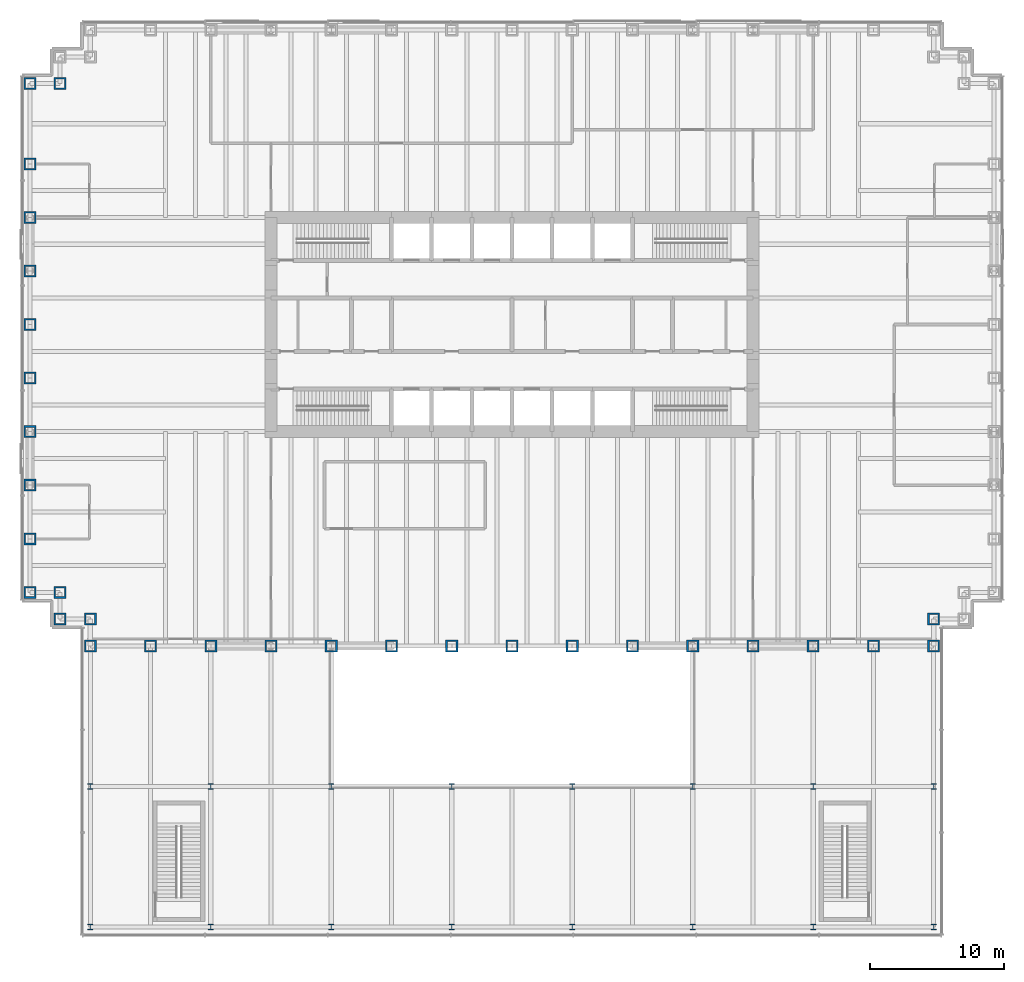
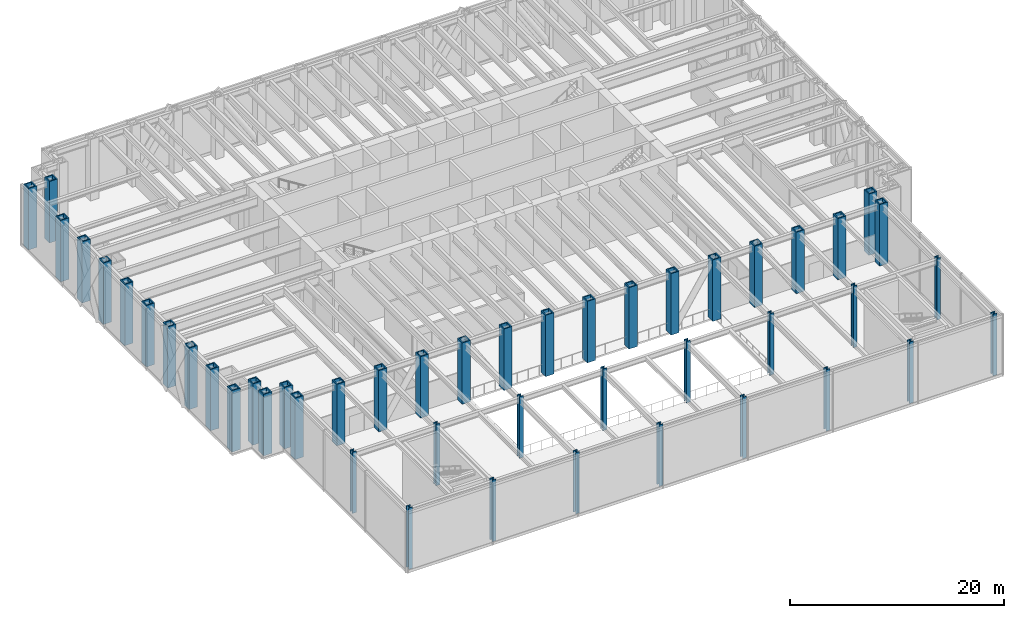
# One storey, part 1 of 17: 46 columns.
"""IFC4 building model written with IfcOpenShell, lengths in metres."""

import ifcopenshell
import ifcopenshell.guid

model = None  # the IFC model being written
_history = None  # IfcOwnerHistory: only IFC2X3 demands one
_inside = {}  # id of a spatial element -> (the spatial element, [elements in it])
_under = {}  # id of a project, library or spatial element -> (it, [spatial elements below it])
_declared = {}  # id of a project -> (the project, [libraries it declares])
_typed = {}  # id of a type object -> (the type object, [elements of that type])
_made_of = {}  # id of a material, layer set ... -> (it, [elements and type objects made of it])


def new_model(schema):
    """Start an empty IFC model of exactly this schema.

    Asked for "IFC4X3", IfcOpenShell would pick the latest addendum, in which some entities
    have other attributes; the version numbers below select the first issue.
    IFC2X3 requires an IfcOwnerHistory on every rooted entity: one is made here for all.
    """
    global model, _history
    if schema == "IFC4X3":
        model = ifcopenshell.file(schema_version=(4, 3, 0, 0))
    else:
        model = ifcopenshell.file(schema=schema)
    _inside.clear()
    _under.clear()
    _declared.clear()
    _typed.clear()
    _made_of.clear()
    _history = None
    if model.schema == "IFC2X3":
        org = make("IfcOrganization", Name="unknown")
        user = make(
            "IfcPersonAndOrganization",
            ThePerson=make("IfcPerson", FamilyName="unknown"),
            TheOrganization=org,
        )
        app = make(
            "IfcApplication",
            ApplicationDeveloper=org,
            Version="unknown",
            ApplicationFullName="unknown",
            ApplicationIdentifier="unknown",
        )
        _history = make(
            "IfcOwnerHistory",
            OwningUser=user,
            OwningApplication=app,
            ChangeAction="ADDED",
            CreationDate=0,
        )
    return model


def make(cls, **values):
    """One entity of the class cls with the attributes given. An attribute that is None is left unset."""
    return model.create_entity(
        cls, **{name: value for name, value in values.items() if value is not None}
    )


def rooted(cls, **values):
    """An entity with a GlobalId (a new one), such as an element, a storey or a relation."""
    return make(cls, GlobalId=ifcopenshell.guid.new(), OwnerHistory=_history, **values)


def si_unit(unit_type, name, prefix=None):
    """IfcSIUnit, for example si_unit("LENGTHUNIT", "METRE", prefix="MILLI")."""
    return make("IfcSIUnit", UnitType=unit_type, Prefix=prefix, Name=name)


def assignment(units):
    """IfcUnitAssignment: the units of a project."""
    return None if units is None else make("IfcUnitAssignment", Units=units)


def point(xyz):
    """IfcCartesianPoint."""
    return None if xyz is None else make("IfcCartesianPoint", Coordinates=xyz)


def direction(xyz):
    """IfcDirection."""
    return None if xyz is None else make("IfcDirection", DirectionRatios=xyz)


def frame(location, z_axis=None, x_axis=None):
    """IfcAxis2Placement3D, a coordinate frame: its origin and axes. An axis left out is left unset."""
    return make(
        "IfcAxis2Placement3D",
        Location=point(location),
        Axis=direction(z_axis),
        RefDirection=direction(x_axis),
    )


def frame_2d(location, x_axis=None):
    """IfcAxis2Placement2D, a coordinate frame in the plane: its origin and x axis."""
    return make(
        "IfcAxis2Placement2D", Location=point(location), RefDirection=direction(x_axis)
    )


def origin():
    """The frame at (0, 0, 0) with its axes left unset."""
    return frame((0.0, 0.0, 0.0))


def origin_2d():
    """The frame at (0, 0) in the plane with its x axis left unset."""
    return frame_2d((0.0, 0.0))


def place(relative_to, where):
    """IfcLocalPlacement: puts the frame where relative to a parent placement (None: the world)."""
    return make(
        "IfcLocalPlacement", PlacementRelTo=relative_to, RelativePlacement=where
    )


def context(
    kind, dimensions, precision=None, world=None, true_north=None, identifier=None
):
    """IfcGeometricRepresentationContext, for example the 3D "Model" context."""
    return make(
        "IfcGeometricRepresentationContext",
        ContextIdentifier=identifier,
        ContextType=kind,
        CoordinateSpaceDimension=dimensions,
        Precision=precision,
        WorldCoordinateSystem=world,
        TrueNorth=true_north,
    )


def subcontext(parent, identifier, kind, view, scale=None):
    """IfcGeometricRepresentationSubContext, for example "Body" below "Model"."""
    return make(
        "IfcGeometricRepresentationSubContext",
        ContextIdentifier=identifier,
        ContextType=kind,
        ParentContext=parent,
        TargetScale=scale,
        TargetView=view,
    )


def project(units=None, contexts=None):
    """IfcProject with its units and contexts."""
    return rooted(
        "IfcProject",
        Name="project",
        RepresentationContexts=contexts,
        UnitsInContext=assignment(units),
    )


def spatial(cls, under=None, at=None, **own):
    """A site, building, storey or space (cls), placed at a placement, below another one or the project."""
    s = rooted(cls, ObjectPlacement=at, **own)
    if under is not None:
        _under.setdefault(under.id(), (under, []))[1].append(s)
    return s


def profile(cls, at=None, kind="AREA", **sizes):
    """A parametric profile (cls). Its sizes go by their IFC names, for example OverallWidth=200.0."""
    return make(cls, ProfileType=kind, Position=at, **sizes)


def hollow_rectangle(**sizes):
    """IfcRectangleHollowProfileDef."""
    return profile("IfcRectangleHollowProfileDef", **sizes)


def i_section(**sizes):
    """IfcIShapeProfileDef."""
    return profile("IfcIShapeProfileDef", **sizes)


def extrude(swept, where, along, depth):
    """IfcExtrudedAreaSolid: the profile swept, set in the frame where, extruded along a direction by depth."""
    return make(
        "IfcExtrudedAreaSolid",
        SweptArea=swept,
        Position=where,
        ExtrudedDirection=direction(along),
        Depth=depth,
    )


def shape(context_of_items, identifier, shape_type, items):
    """IfcShapeRepresentation: the items that make up one representation, for example the "Body"."""
    return make(
        "IfcShapeRepresentation",
        ContextOfItems=context_of_items,
        RepresentationIdentifier=identifier,
        RepresentationType=shape_type,
        Items=items,
    )


def material(Name=None, Category=None):
    """IfcMaterial."""
    return make("IfcMaterial", Name=Name, Category=Category)


def material_profile(
    of_material, cross_section, Name=None, Category=None, Priority=None
):
    """IfcMaterialProfile: a cross section and its material."""
    return make(
        "IfcMaterialProfile",
        Name=Name,
        Material=of_material,
        Profile=cross_section,
        Priority=Priority,
        Category=Category,
    )


def profile_set(profiles, Name=None, composite=None):
    """IfcMaterialProfileSet."""
    return make(
        "IfcMaterialProfileSet",
        Name=Name,
        MaterialProfiles=profiles,
        CompositeProfile=composite,
    )


def made_of(thing, what):
    """Note that an element or type object is made of a material, layer set ...; save() writes the relation."""
    if what is not None:
        _made_of.setdefault(what.id(), (what, []))[1].append(thing)
    return thing


def type_object(cls, material=None, **own):
    """A type object (cls), such as IfcWallType, which elements share."""
    return made_of(rooted(cls, **own), material)


def element(
    cls,
    number,
    at=None,
    inside=None,
    cuts=None,
    type_object=None,
    material=None,
    context=None,
    identifier="Body",
    shape_type=None,
    held_by="IfcProductDefinitionShape",
    body=None,
    shapes=None,
    **own,
):
    """One element of the class cls, such as IfcWall. Its Tag is "e" and its number.

    at: its placement. inside: the storey or other place that contains it. cuts: it is an
    opening in that element (IfcRelVoidsElement). A single representation is given by context,
    identifier, shape_type and body (its items); several are given by shapes. held_by: the class
    of the entity that holds the representations. save() writes the other relations.
    """
    e = rooted(cls, Tag="e%d" % number, ObjectPlacement=at, **own)
    if body is not None:
        shapes = [shape(context, identifier, shape_type, body)]
    if shapes is not None:
        e.Representation = make(held_by, Representations=shapes)
    if inside is not None:
        _inside.setdefault(inside.id(), (inside, []))[1].append(e)
    if cuts is not None:
        rooted(
            "IfcRelVoidsElement", RelatingBuildingElement=cuts, RelatedOpeningElement=e
        )
    if type_object is not None:
        _typed.setdefault(type_object.id(), (type_object, []))[1].append(e)
    return made_of(e, material)


def aggregate(whole, parts):
    """IfcRelAggregates: a whole, such as a stair, and the parts it consists of."""
    return rooted("IfcRelAggregates", RelatingObject=whole, RelatedObjects=parts)


def save(model, path):
    """Write the relations noted so far, then the file.

    IfcRelAggregates (storeys below a building ...), IfcRelContainedInSpatialStructure (elements
    in a storey), IfcRelDefinesByType, IfcRelAssociatesMaterial and IfcRelDeclares: one each for
    every whole, place, type object, material and project.
    """
    for whole, parts in _under.values():
        aggregate(whole, parts)
    for where, things in _inside.values():
        rooted(
            "IfcRelContainedInSpatialStructure",
            RelatedElements=things,
            RelatingStructure=where,
        )
    for kind, things in _typed.values():
        rooted("IfcRelDefinesByType", RelatedObjects=things, RelatingType=kind)
    for what, things in _made_of.values():
        rooted("IfcRelAssociatesMaterial", RelatedObjects=things, RelatingMaterial=what)
    for by, libraries in _declared.values():
        rooted("IfcRelDeclares", RelatingContext=by, RelatedDefinitions=libraries)
    model.write(path)


model = new_model("IFC4")

# Units and contexts
model_context = context("Model", 3, precision=1e-05, world=origin(), true_north=direction((0.0, 1.0)))
body_context = subcontext(model_context, "Body", "Model", "MODEL_VIEW")
ifc_project = project(units=[si_unit("LENGTHUNIT", "METRE"), si_unit("AREAUNIT", "SQUARE_METRE"), si_unit("VOLUMEUNIT", "CUBIC_METRE"), si_unit("PLANEANGLEUNIT", "RADIAN"), si_unit("MASSUNIT", "GRAM", prefix="KILO")], contexts=[model_context])

# Site, building, storey
site_placement = place(None, origin())
site = spatial("IfcSite", under=ifc_project, at=site_placement, CompositionType="ELEMENT")
building_placement = place(site_placement, origin())
building = spatial("IfcBuilding", under=site, at=building_placement, Name="Rheinbord Bourse Tower", CompositionType="ELEMENT")
storey_placement = place(building_placement, frame((0.0, 0.0, 6.0)))
storey = spatial("IfcBuildingStorey", under=building, at=storey_placement, Name="L01", CompositionType="ELEMENT", Elevation=6.0)

# Columns
ifc_material_1 = material(Name="Steel S460", Category="steel")
ifc_material_profile_1 = material_profile(ifc_material_1, i_section(OverallWidth=0.41796875, OverallDepth=0.455078125, WebThickness=0.0419921875, FlangeThickness=0.067626953125, at=origin_2d()), Name="HD 400x551")
ifc_profile_set_1 = profile_set([ifc_material_profile_1], Name="Steel S460")
column_type_1 = type_object("IfcColumnType", Name="PODIUM COLUMN HD 400x551", PredefinedType="COLUMN", material=ifc_profile_set_1)
for number, where, z_axis, x_axis, name in (
    (1, (4.5, -21.0, 0.0), (0.0, 0.0, 1.0), (1.0, 0.0, 0.0), "Podium column 4.5 / -21 L01"),
    (2, (4.5, -10.5, 0.0), (0.0, 0.0, 1.0), (1.0, 0.0, 0.0), "Podium column 4.5 / -10.5 L01"),
    (3, (13.5, -21.0, 0.0), (0.0, 0.0, 1.0), (1.0, 0.0, 0.0), "Podium column 13.5 / -21 L01"),
    (4, (13.5, -10.5, 0.0), (0.0, 0.0, 1.0), (1.0, 0.0, 0.0), "Podium column 13.5 / -10.5 L01"),
    (5, (22.5, -21.0, 0.0), (0.0, 0.0, 1.0), (1.0, 0.0, 0.0), "Podium column 22.5 / -21 L01"),
    (6, (22.5, -10.5, 0.0), (0.0, 0.0, 1.0), (1.0, 0.0, 0.0), "Podium column 22.5 / -10.5 L01"),
    (7, (31.5, -21.0, 0.0), (0.0, 0.0, 1.0), (1.0, 0.0, 0.0), "Podium column 31.5 / -21 L01"),
    (8, (31.5, -10.5, 0.0), (0.0, 0.0, 1.0), (1.0, 0.0, 0.0), "Podium column 31.5 / -10.5 L01"),
    (9, (40.5, -21.0, 0.0), (0.0, 0.0, 1.0), (1.0, 0.0, 0.0), "Podium column 40.5 / -21 L01"),
    (10, (40.5, -10.5, 0.0), (0.0, 0.0, 1.0), (1.0, 0.0, 0.0), "Podium column 40.5 / -10.5 L01"),
    (11, (49.5, -21.0, 0.0), (0.0, 0.0, 1.0), (1.0, 0.0, 0.0), "Podium column 49.5 / -21 L01"),
    (12, (49.5, -10.5, 0.0), (0.0, 0.0, 1.0), (1.0, 0.0, 0.0), "Podium column 49.5 / -10.5 L01"),
    (13, (58.5, -21.0, 0.0), (0.0, 0.0, 1.0), (1.0, 0.0, 0.0), "Podium column 58.5 / -21 L01"),
    (14, (58.5, -10.5, 0.0), (0.0, 0.0, 1.0), (1.0, 0.0, 0.0), "Podium column 58.5 / -10.5 L01"),
    (15, (67.5, -21.0, 0.0), (0.0, 0.0, 1.0), (1.0, 0.0, 0.0), "Podium column 67.5 / -21 L01"),
    (16, (67.5, -10.5, 0.0), (0.0, 0.0, 1.0), (1.0, 0.0, 0.0), "Podium column 67.5 / -10.5 L01"),
):
    element("IfcColumn", number, at=place(storey_placement, frame(where, z_axis=z_axis, x_axis=x_axis)), inside=storey, type_object=column_type_1, Name=name, PredefinedType="COLUMN", context=body_context, shape_type="SweptSolid", body=[
        extrude(i_section(OverallWidth=0.41796875, OverallDepth=0.455078125, WebThickness=0.0419921875, FlangeThickness=0.067626953125, at=origin_2d()), origin(), (0.0, 0.0, 1.0), 7.0),
    ])
ifc_material_2 = material(Name="Steel S460M", Category="steel")
ifc_material_profile_2 = material_profile(ifc_material_2, hollow_rectangle(XDim=0.89990234375, YDim=0.89990234375, WallThickness=0.1201171875, at=origin_2d()), Name="BOX 900x900x120")
ifc_profile_set_2 = profile_set([ifc_material_profile_2], Name="Steel S460M")
column_type_2 = type_object("IfcColumnType", Name="TUBE COLUMN BOX 900x900x120", PredefinedType="COLUMN", material=ifc_profile_set_2)
for number, where, z_axis, x_axis, name in (
    (17, (4.5, 0.0, 0.0), (0.0, 0.0, 1.0), (0.0, 1.0, 0.0), "Column SW-E L01"),
    (18, (9.0, 0.0, 0.0), (0.0, 0.0, 1.0), (0.0, 1.0, 0.0), "Column S-9 L01"),
    (19, (13.5, 0.0, 0.0), (0.0, 0.0, 1.0), (0.0, 1.0, 0.0), "Column S-13.5 L01"),
    (20, (18.0, 0.0, 0.0), (0.0, 0.0, 1.0), (0.0, 1.0, 0.0), "Column S-18 L01"),
    (21, (22.5, 0.0, 0.0), (0.0, 0.0, 1.0), (0.0, 1.0, 0.0), "Column S-22.5 L01"),
    (22, (27.0, 0.0, 0.0), (0.0, 0.0, 1.0), (0.0, 1.0, 0.0), "Column S-27 L01"),
    (23, (31.5, 0.0, 0.0), (0.0, 0.0, 1.0), (0.0, 1.0, 0.0), "Column S-31.5 L01"),
    (24, (36.0, 0.0, 0.0), (0.0, 0.0, 1.0), (0.0, 1.0, 0.0), "Column S-36 L01"),
    (25, (40.5, 0.0, 0.0), (0.0, 0.0, 1.0), (0.0, 1.0, 0.0), "Column S-40.5 L01"),
    (26, (45.0, 0.0, 0.0), (0.0, 0.0, 1.0), (0.0, 1.0, 0.0), "Column S-45 L01"),
    (27, (49.5, 0.0, 0.0), (0.0, 0.0, 1.0), (0.0, 1.0, 0.0), "Column S-49.5 L01"),
    (28, (54.0, 0.0, 0.0), (0.0, 0.0, 1.0), (0.0, 1.0, 0.0), "Column S-54 L01"),
    (29, (58.5, 0.0, 0.0), (0.0, 0.0, 1.0), (0.0, 1.0, 0.0), "Column S-58.5 L01"),
    (30, (63.0, 0.0, 0.0), (0.0, 0.0, 1.0), (0.0, 1.0, 0.0), "Column S-63 L01"),
    (31, (67.5, 0.0, 0.0), (0.0, 0.0, 1.0), (0.0, 1.0, 0.0), "Column SE-E L01"),
    (32, (67.5, 2.0, 0.0), (0.0, 0.0, 1.0), (0.0, 1.0, 0.0), "Column SE-D L01"),
    (33, (2.25, 42.0, 0.0), (0.0, 0.0, 1.0), (1.0, 0.0, 0.0), "Column NW-B L01"),
    (34, (0.0, 42.0, 0.0), (0.0, 0.0, 1.0), (1.0, 0.0, 0.0), "Column NW-A L01"),
    (35, (0.0, 36.0, 0.0), (0.0, 0.0, 1.0), (1.0, 0.0, 0.0), "Column W-36 L01"),
    (36, (0.0, 32.0, 0.0), (0.0, 0.0, 1.0), (1.0, 0.0, 0.0), "Column W-32 L01"),
    (37, (0.0, 28.0, 0.0), (0.0, 0.0, 1.0), (1.0, 0.0, 0.0), "Column W-28 L01"),
    (38, (0.0, 24.0, 0.0), (0.0, 0.0, 1.0), (1.0, 0.0, 0.0), "Column W-24 L01"),
    (39, (0.0, 20.0, 0.0), (0.0, 0.0, 1.0), (1.0, 0.0, 0.0), "Column W-20 L01"),
    (40, (0.0, 16.0, 0.0), (0.0, 0.0, 1.0), (1.0, 0.0, 0.0), "Column W-16 L01"),
    (41, (0.0, 12.0, 0.0), (0.0, 0.0, 1.0), (1.0, 0.0, 0.0), "Column W-12 L01"),
    (42, (0.0, 8.0, 0.0), (0.0, 0.0, 1.0), (1.0, 0.0, 0.0), "Column W-8 L01"),
    (43, (0.0, 4.0, 0.0), (0.0, 0.0, 1.0), (1.0, 0.0, 0.0), "Column SW-A L01"),
    (44, (2.25, 4.0, 0.0), (0.0, 0.0, 1.0), (1.0, 0.0, 0.0), "Column SW-B L01"),
    (45, (2.25, 2.0, 0.0), (0.0, 0.0, 1.0), (1.0, 0.0, 0.0), "Column SW-C L01"),
    (46, (4.5, 2.0, 0.0), (0.0, 0.0, 1.0), (0.0, 1.0, 0.0), "Column SW-D L01"),
):
    element("IfcColumn", number, at=place(storey_placement, frame(where, z_axis=z_axis, x_axis=x_axis)), inside=storey, type_object=column_type_2, Name=name, PredefinedType="COLUMN", context=body_context, shape_type="SweptSolid", body=[
        extrude(hollow_rectangle(XDim=0.89990234375, YDim=0.89990234375, WallThickness=0.1201171875, at=origin_2d()), origin(), (0.0, 0.0, 1.0), 7.0),
    ])

save(model, "model.ifc")
